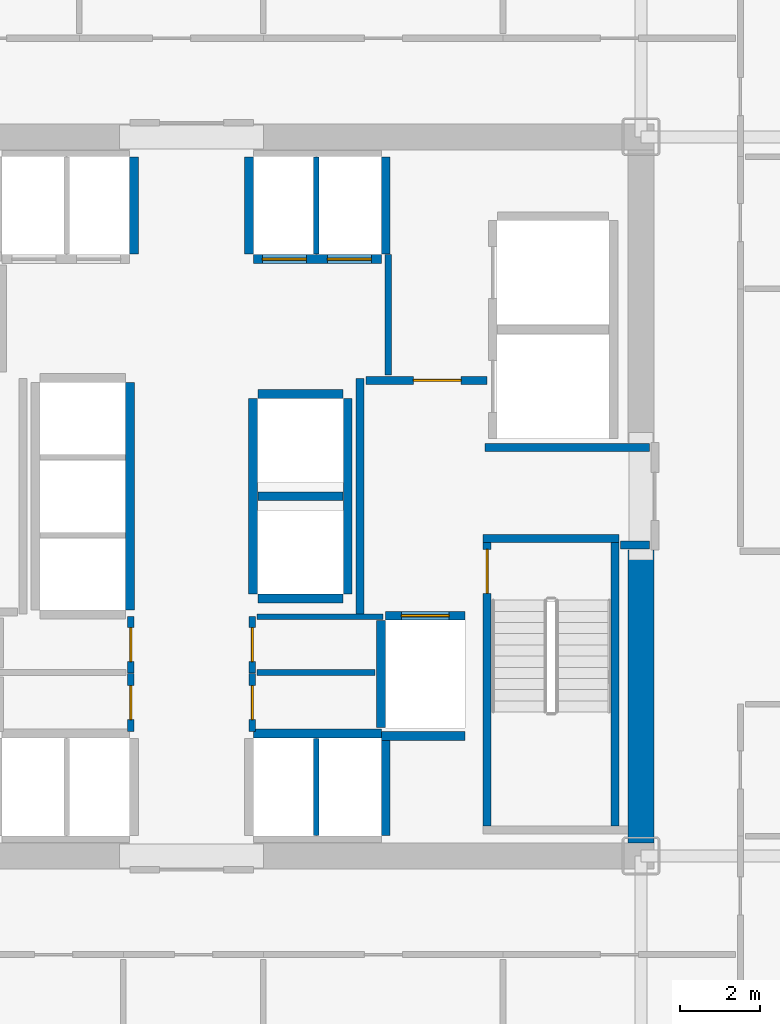
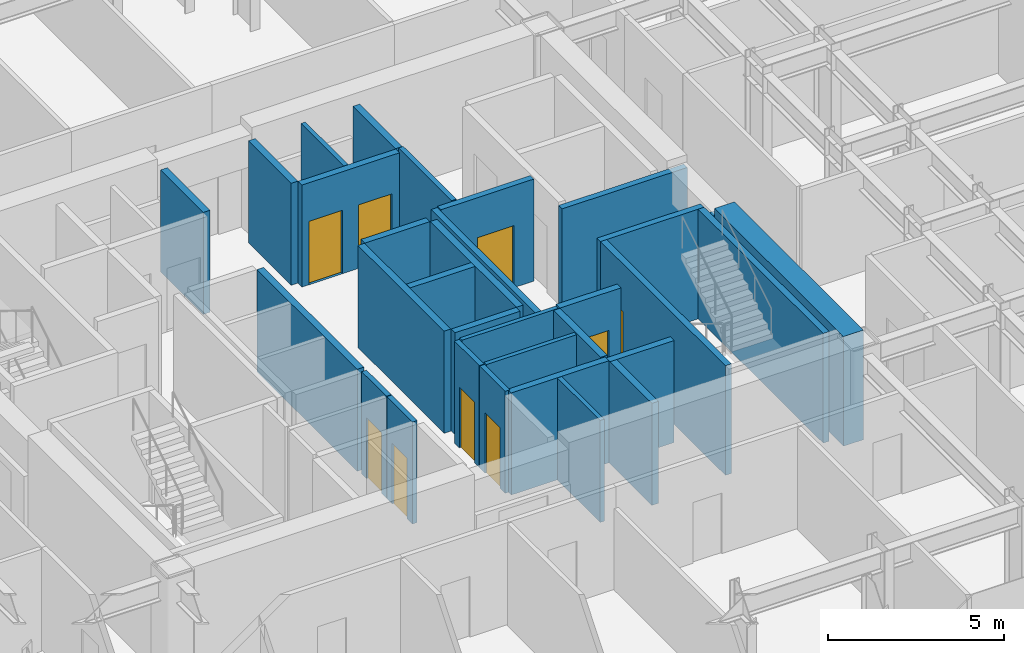
# One storey, part 22 of 26: 32 walls, 9 doors, 9 openings.
"""IFC4 building model written with IfcOpenShell, lengths in metres."""

from ifc_helpers import new_model, si_unit, direction, frame, frame_2d, origin, place, context, subcontext, project, spatial, rectangle, extrude, source, transform, mapped, material, layer, layer_set, type_object, element, fill, save


model = new_model("IFC4")

# Units and contexts
model_context = context("Model", 3, precision=1e-05, world=origin(), true_north=direction((0.0, 1.0)))
body_context = subcontext(model_context, "Body", "Model", "MODEL_VIEW")
ifc_project = project(units=[si_unit("LENGTHUNIT", "METRE"), si_unit("AREAUNIT", "SQUARE_METRE"), si_unit("VOLUMEUNIT", "CUBIC_METRE"), si_unit("PLANEANGLEUNIT", "RADIAN"), si_unit("MASSUNIT", "GRAM", prefix="KILO")], contexts=[model_context])

# Site, building, storey
site_placement = place(None, origin())
site = spatial("IfcSite", under=ifc_project, at=site_placement, CompositionType="ELEMENT")
building_placement = place(site_placement, origin())
building = spatial("IfcBuilding", under=site, at=building_placement, Name="Nefas-Gora Pilgrimage Tower", CompositionType="ELEMENT")
storey_placement = place(building_placement, frame((0.0, 0.0, 59.60009765625)))
storey = spatial("IfcBuildingStorey", under=building, at=storey_placement, Name="L13", CompositionType="ELEMENT", Elevation=59.60009765625)

# Walls
ifc_material_1 = material(Name="Concrete C60/75", Category="concrete")
ifc_layer_1 = layer(ifc_material_1, 0.64990234375)
ifc_layer_set_1 = layer_set([ifc_layer_1], Name="Concrete C60/75")
wall_type_1 = type_object("IfcWallType", Name="SW-CORE-650", PredefinedType="SHEAR", material=ifc_layer_set_1)
shared_shape_1 = source(origin(), body_context, "Body", "SweptSolid", [
    extrude(rectangle(XDim=7.324951171875, YDim=0.64990234375, at=frame_2d((3.66259765625, 0.0))), origin(), (0.0, 0.0, 1.0), 3.7998046875),
])
wall_1_placement = place(storey_placement, frame((11.25, -8.675048828125, 0.0), z_axis=(0.0, 0.0, 1.0), x_axis=(0.0, 1.0, 0.0)))
element("IfcWall", 1, at=wall_1_placement, inside=storey, type_object=wall_type_1, Name="L13 Core Shear Wall E-South", PredefinedType="SHEAR", context=body_context, shape_type="MappedRepresentation", body=[
    mapped(shared_shape_1, transform((0.0, 0.0, 0.0), x_axis=(1.0, 0.0, 0.0), y_axis=(0.0, 1.0, 0.0), z_axis=(0.0, 0.0, 1.0), scale=1.0)),
])
ifc_material_2 = material(Name="Concrete C45/55", Category="concrete")
ifc_layer_2 = layer(ifc_material_2, 0.199951171875)
ifc_layer_set_2 = layer_set([ifc_layer_2], Name="Concrete C45/55")
wall_type_2 = type_object("IfcWallType", Name="IW-STAIR-200", PredefinedType="SOLIDWALL", material=ifc_layer_set_2)
shared_shape_2 = source(origin(), body_context, "Body", "SweptSolid", [
    extrude(rectangle(XDim=3.39990234375, YDim=0.199951171875, at=frame_2d((1.699951171875, 0.0))), origin(), (0.0, 0.0, 1.0), 3.7998046875),
])
wall_2_placement = place(storey_placement, frame((7.300048828125, -1.050048828125, 0.0), z_axis=(0.0, 0.0, 1.0), x_axis=(1.0, 0.0, 0.0)))
element("IfcWall", 2, at=wall_2_placement, inside=storey, type_object=wall_type_2, Name="L13 Stairwell Shear Wall ST-02-near", PredefinedType="SOLIDWALL", context=body_context, shape_type="MappedRepresentation", body=[
    mapped(shared_shape_2, transform((0.0, 0.0, 0.0), x_axis=(1.0, 0.0, 0.0), y_axis=(0.0, 1.0, 0.0), z_axis=(0.0, 0.0, 1.0), scale=1.0)),
])

# Wall, opening, door
shared_shape_3 = source(origin(), body_context, "Body", "SweptSolid", [
    extrude(rectangle(XDim=7.10009765625, YDim=0.199951171875, at=frame_2d((3.550048828125, 0.0))), origin(), (0.0, 0.0, 1.0), 3.7998046875),
])
wall_3_placement = place(storey_placement, frame((7.39990234375, -1.14990234375, 0.0), z_axis=(0.0, 0.0, 1.0), x_axis=(0.0, -1.0, 0.0)))
wall_3 = element("IfcWall", 3, at=wall_3_placement, inside=storey, type_object=wall_type_2, Name="L13 Stairwell Shear Wall ST-02-left", PredefinedType="SOLIDWALL", context=body_context, shape_type="MappedRepresentation", body=[
    mapped(shared_shape_3, transform((0.0, 0.0, 0.0), x_axis=(1.0, 0.0, 0.0), y_axis=(0.0, 1.0, 0.0), z_axis=(0.0, 0.0, 1.0), scale=1.0)),
])
opening_1_placement = place(wall_3_placement, frame((0.179931640625, 0.0, 0.0)))
opening_1 = element("IfcOpeningElement", 4, at=opening_1_placement, cuts=wall_3, Name="Opening ID-ST1", PredefinedType="OPENING", context=body_context, shape_type="SweptSolid", body=[
    extrude(rectangle(XDim=1.10009765625, YDim=2.14990234375, at=frame_2d((0.550048828125, 1.074951171875))), frame((0.0, 0.10986328125, 0.0), z_axis=(0.0, -1.0, 0.0), x_axis=(1.0, 0.0, 0.0)), (0.0, 0.0, 1.0), 0.219970703125),
])
ifc_material_3 = material(Name="Painted galvanised steel fire stair door", Category="steel")
door_type_1 = type_object("IfcDoorType", Name="DR-INT-STAIR-1100", OperationType="NOTDEFINED", PredefinedType="DOOR", material=ifc_material_3)
shared_shape_4 = source(origin(), body_context, "Body", "SweptSolid", [
    extrude(rectangle(XDim=1.10009765625, YDim=2.14990234375, at=frame_2d((0.550048828125, 1.074951171875))), frame((0.0, 0.02490234375, 0.0), z_axis=(0.0, -1.0, 0.0), x_axis=(1.0, 0.0, 0.0)), (0.0, 0.0, 1.0), 0.050048828125),
])
door_1_placement = place(opening_1_placement, origin())
door_1 = element("IfcDoor", 5, at=door_1_placement, inside=storey, type_object=door_type_1, Name="L13 Protected Exit Stair Door ST-02", OperationType="SINGLE_SWING_RIGHT", OverallHeight=2.14990234375, OverallWidth=1.10009765625, PredefinedType="DOOR", context=body_context, shape_type="MappedRepresentation", body=[
    mapped(shared_shape_4, transform((0.0, 0.0, 0.0), x_axis=(1.0, 0.0, 0.0), y_axis=(0.0, 1.0, 0.0), z_axis=(0.0, 0.0, 1.0), scale=1.0)),
])
fill(opening_1, door_1)

# Wall
wall_4_placement = place(storey_placement, frame((10.60009765625, -1.14990234375, 0.0), z_axis=(0.0, 0.0, 1.0), x_axis=(0.0, -1.0, 0.0)))
element("IfcWall", 6, at=wall_4_placement, inside=storey, type_object=wall_type_2, Name="L13 Stairwell Shear Wall ST-02-right", PredefinedType="SOLIDWALL", context=body_context, shape_type="MappedRepresentation", body=[
    mapped(shared_shape_3, transform((0.0, 0.0, 0.0), x_axis=(1.0, 0.0, 0.0), y_axis=(0.0, 1.0, 0.0), z_axis=(0.0, 0.0, 1.0), scale=1.0)),
])

# Wall, opening, door
ifc_material_4 = material(Name="Concrete C40/50", Category="concrete")
ifc_layer_3 = layer(ifc_material_4, 0.219970703125)
ifc_layer_set_3 = layer_set([ifc_layer_3], Name="Concrete C40/50")
wall_type_3 = type_object("IfcWallType", Name="IW-SHAFT-220", PredefinedType="SOLIDWALL", material=ifc_layer_set_3)
shared_shape_5 = source(origin(), body_context, "Body", "SweptSolid", [
    extrude(rectangle(XDim=2.0, YDim=0.219970703125, at=frame_2d((1.0, 0.0))), origin(), (0.0, 0.0, 1.0), 3.534912109375),
])
wall_5_placement = place(storey_placement, frame((6.85009765625, -2.989990234375, 0.0), z_axis=(0.0, 0.0, 1.0), x_axis=(-1.0, 0.0, 0.0)))
wall_5 = element("IfcWall", 7, at=wall_5_placement, inside=storey, type_object=wall_type_3, Name="L13 Hoistway Wall FFL-02-N", PredefinedType="SOLIDWALL", context=body_context, shape_type="MappedRepresentation", body=[
    mapped(shared_shape_5, transform((0.0, 0.0, 0.0), x_axis=(1.0, 0.0, 0.0), y_axis=(0.0, 1.0, 0.0), z_axis=(0.0, 0.0, 1.0), scale=1.0)),
])
opening_2_placement = place(wall_5_placement, frame((0.39990234375, 0.0, 0.0)))
opening_2 = element("IfcOpeningElement", 8, at=opening_2_placement, cuts=wall_5, Name="Opening LD-FF", PredefinedType="OPENING", context=body_context, shape_type="SweptSolid", body=[
    extrude(rectangle(XDim=1.199951171875, YDim=2.199951171875, at=frame_2d((0.60009765625, 1.10009765625))), frame((0.0, 0.119873046875, 0.0), z_axis=(0.0, -1.0, 0.0), x_axis=(1.0, 0.0, 0.0)), (0.0, 0.0, 1.0), 0.239990234375),
])
ifc_material_5 = material(Name="Fire-service sliding lift landing door")
door_type_2 = type_object("IfcDoorType", Name="DR-LIFT-FSAE-1200", OperationType="SLIDING_TO_LEFT", PredefinedType="DOOR", material=ifc_material_5)
shared_shape_6 = source(origin(), body_context, "Body", "SweptSolid", [
    extrude(rectangle(XDim=1.199951171875, YDim=2.199951171875, at=frame_2d((0.60009765625, 1.10009765625))), frame((0.0, 0.02490234375, 0.0), z_axis=(0.0, -1.0, 0.0), x_axis=(1.0, 0.0, 0.0)), (0.0, 0.0, 1.0), 0.050048828125),
])
door_2_placement = place(opening_2_placement, origin())
door_2 = element("IfcDoor", 9, at=door_2_placement, inside=storey, type_object=door_type_2, Name="L13 Sliding Lift Landing Door FFL-02", OperationType="SLIDING_TO_LEFT", OverallHeight=2.199951171875, OverallWidth=1.199951171875, PredefinedType="DOOR", context=body_context, shape_type="MappedRepresentation", body=[
    mapped(shared_shape_6, transform((0.0, 0.0, 0.0), x_axis=(1.0, 0.0, 0.0), y_axis=(0.0, 1.0, 0.0), z_axis=(0.0, 0.0, 1.0), scale=1.0)),
])
fill(opening_2, door_2)

# Wall
shared_shape_7 = source(origin(), body_context, "Body", "SweptSolid", [
    extrude(rectangle(XDim=2.679931640625, YDim=0.219970703125, at=frame_2d((1.33984375, 0.0))), origin(), (0.0, 0.0, 1.0), 3.534912109375),
])
wall_6_placement = place(storey_placement, frame((4.739990234375, -3.110107421875, 0.0), z_axis=(0.0, 0.0, 1.0), x_axis=(0.0, -1.0, 0.0)))
element("IfcWall", 10, at=wall_6_placement, inside=storey, type_object=wall_type_3, Name="L13 Hoistway Wall FFL-02-W", PredefinedType="SOLIDWALL", context=body_context, shape_type="MappedRepresentation", body=[
    mapped(shared_shape_7, transform((0.0, 0.0, 0.0), x_axis=(1.0, 0.0, 0.0), y_axis=(0.0, 1.0, 0.0), z_axis=(0.0, 0.0, 1.0), scale=1.0)),
])

# Wall, openings, doors
shared_shape_8 = source(origin(), body_context, "Body", "SweptSolid", [
    extrude(rectangle(XDim=3.199951171875, YDim=0.219970703125, at=frame_2d((1.60009765625, 0.0))), origin(), (0.0, 0.0, 1.0), 3.534912109375),
])
wall_7_placement = place(storey_placement, frame((1.550048828125, 5.93994140625, 0.0), z_axis=(0.0, 0.0, 1.0), x_axis=(1.0, 0.0, 0.0)))
wall_7 = element("IfcWall", 11, at=wall_7_placement, inside=storey, type_object=wall_type_3, Name="L13 Hoistway Wall PL1-E-S", PredefinedType="SOLIDWALL", context=body_context, shape_type="MappedRepresentation", body=[
    mapped(shared_shape_8, transform((0.0, 0.0, 0.0), x_axis=(1.0, 0.0, 0.0), y_axis=(0.0, 1.0, 0.0), z_axis=(0.0, 0.0, 1.0), scale=1.0)),
])
opening_3_placement = place(wall_7_placement, frame((0.22509765625, 0.0, 0.0)))
opening_3 = element("IfcOpeningElement", 12, at=opening_3_placement, cuts=wall_7, Name="Opening LD-01", PredefinedType="OPENING", context=body_context, shape_type="SweptSolid", body=[
    extrude(rectangle(XDim=1.10009765625, YDim=2.199951171875, at=frame_2d((0.550048828125, 1.10009765625))), frame((0.0, 0.119873046875, 0.0), z_axis=(0.0, -1.0, 0.0), x_axis=(1.0, 0.0, 0.0)), (0.0, 0.0, 1.0), 0.239990234375),
])
opening_4_placement = place(wall_7_placement, frame((1.85009765625, 0.0, 0.0)))
opening_4 = element("IfcOpeningElement", 13, at=opening_4_placement, cuts=wall_7, Name="Opening LD-01", PredefinedType="OPENING", context=body_context, shape_type="SweptSolid", body=[
    extrude(rectangle(XDim=1.10009765625, YDim=2.199951171875, at=frame_2d((0.550048828125, 1.10009765625))), frame((0.0, 0.119873046875, 0.0), z_axis=(0.0, -1.0, 0.0), x_axis=(1.0, 0.0, 0.0)), (0.0, 0.0, 1.0), 0.239990234375),
])
ifc_material_6 = material(Name="Brushed stainless sliding lift landing door")
door_type_3 = type_object("IfcDoorType", Name="DR-LIFT-PASS-1100", OperationType="DOUBLE_DOOR_SLIDING", PredefinedType="DOOR", material=ifc_material_6)
shared_shape_9 = source(origin(), body_context, "Body", "SweptSolid", [
    extrude(rectangle(XDim=1.10009765625, YDim=2.199951171875, at=frame_2d((0.550048828125, 1.10009765625))), frame((0.0, 0.02490234375, 0.0), z_axis=(0.0, -1.0, 0.0), x_axis=(1.0, 0.0, 0.0)), (0.0, 0.0, 1.0), 0.050048828125),
])
door_3_placement = place(opening_3_placement, origin())
door_3 = element("IfcDoor", 14, at=door_3_placement, inside=storey, type_object=door_type_3, Name="L13 Sliding Lift Landing Door PL1-03", OperationType="DOUBLE_DOOR_SLIDING", OverallHeight=2.199951171875, OverallWidth=1.10009765625, PredefinedType="DOOR", context=body_context, shape_type="MappedRepresentation", body=[
    mapped(shared_shape_9, transform((0.0, 0.0, 0.0), x_axis=(1.0, 0.0, 0.0), y_axis=(0.0, 1.0, 0.0), z_axis=(0.0, 0.0, 1.0), scale=1.0)),
])
fill(opening_3, door_3)
door_4_placement = place(opening_4_placement, origin())
door_4 = element("IfcDoor", 15, at=door_4_placement, inside=storey, type_object=door_type_3, Name="L13 Sliding Lift Landing Door PL1-04", OperationType="DOUBLE_DOOR_SLIDING", OverallHeight=2.199951171875, OverallWidth=1.10009765625, PredefinedType="DOOR", context=body_context, shape_type="MappedRepresentation", body=[
    mapped(shared_shape_9, transform((0.0, 0.0, 0.0), x_axis=(1.0, 0.0, 0.0), y_axis=(0.0, 1.0, 0.0), z_axis=(0.0, 0.0, 1.0), scale=1.0)),
])
fill(opening_4, door_4)

# Walls
wall_8_placement = place(storey_placement, frame((4.75, -5.93994140625, 0.0), z_axis=(0.0, 0.0, 1.0), x_axis=(-1.0, 0.0, 0.0)))
element("IfcWall", 16, at=wall_8_placement, inside=storey, type_object=wall_type_3, Name="L13 Hoistway Wall PL2-E-N", PredefinedType="SOLIDWALL", context=body_context, shape_type="MappedRepresentation", body=[
    mapped(shared_shape_8, transform((0.0, 0.0, 0.0), x_axis=(1.0, 0.0, 0.0), y_axis=(0.0, 1.0, 0.0), z_axis=(0.0, 0.0, 1.0), scale=1.0)),
])
shared_shape_10 = source(origin(), body_context, "Body", "SweptSolid", [
    extrude(rectangle(XDim=2.429931640625, YDim=0.219970703125, at=frame_2d((1.21484375, 0.0))), origin(), (0.0, 0.0, 1.0), 3.534912109375),
])
for number, where, z_axis, x_axis, name in (
    (17, (-1.43994140625, 6.06005859375, 0.0), (0.0, 0.0, 1.0), (0.0, 1.0, 0.0), "L13 Hoistway Wall PL1-W-E"),
    (18, (1.43994140625, 8.489990234375, 0.0), (0.0, 0.0, 1.0), (0.0, -1.0, 0.0), "L13 Hoistway Wall PL1-E-W"),
    (19, (4.860107421875, 6.06005859375, 0.0), (0.0, 0.0, 1.0), (0.0, 1.0, 0.0), "L13 Hoistway Wall PL1-E-E"),
    (20, (4.860107421875, -8.489990234375, 0.0), (0.0, 0.0, 1.0), (0.0, 1.0, 0.0), "L13 Hoistway Wall PL2-E-E"),
):
    element("IfcWall", number, at=place(storey_placement, frame(where, z_axis=z_axis, x_axis=x_axis)), inside=storey, type_object=wall_type_3, Name=name, PredefinedType="SOLIDWALL", context=body_context, shape_type="MappedRepresentation", body=[
        mapped(shared_shape_10, transform((0.0, 0.0, 0.0), x_axis=(1.0, 0.0, 0.0), y_axis=(0.0, 1.0, 0.0), z_axis=(0.0, 0.0, 1.0), scale=1.0)),
    ])
ifc_material_7 = material(Name="Gypsum twin-stud partition")
ifc_layer_4 = layer(ifc_material_7, 0.139892578125)
ifc_layer_set_4 = layer_set([ifc_layer_4], Name="Gypsum twin-stud partition")
wall_type_4 = type_object("IfcWallType", Name="IW-UNIT-140", PredefinedType="PARTITIONING", material=ifc_layer_set_4)
shared_shape_11 = source(origin(), body_context, "Body", "SweptSolid", [
    extrude(rectangle(XDim=2.429931640625, YDim=0.139892578125, at=frame_2d((1.21484375, 0.0))), origin(), (0.0, 0.0, 1.0), 3.534912109375),
])
for number, where, z_axis, x_axis, name in (
    (21, (3.125, 6.06005859375, 0.0), (0.0, 0.0, 1.0), (0.0, 1.0, 0.0), "L13 Hoistway Wall PL1-E-DIV"),
    (22, (3.125, -8.489990234375, 0.0), (0.0, 0.0, 1.0), (0.0, 1.0, 0.0), "L13 Hoistway Wall PL2-E-DIV"),
):
    element("IfcWall", number, at=place(storey_placement, frame(where, z_axis=z_axis, x_axis=x_axis)), inside=storey, type_object=wall_type_4, Name=name, PredefinedType="PARTITIONING", context=body_context, shape_type="MappedRepresentation", body=[
        mapped(shared_shape_11, transform((0.0, 0.0, 0.0), x_axis=(1.0, 0.0, 0.0), y_axis=(0.0, 1.0, 0.0), z_axis=(0.0, 0.0, 1.0), scale=1.0)),
    ])
shared_shape_12 = source(origin(), body_context, "Body", "SweptSolid", [
    extrude(rectangle(XDim=5.7001953125, YDim=0.219970703125, at=frame_2d((2.85009765625, 0.0))), origin(), (0.0, 0.0, 1.0), 3.534912109375),
])
wall_9_placement = place(storey_placement, frame((-1.5400390625, -2.85009765625, 0.0), z_axis=(0.0, 0.0, 1.0), x_axis=(0.0, 1.0, 0.0)))
element("IfcWall", 23, at=wall_9_placement, inside=storey, type_object=wall_type_3, Name="L13 Hoistway Wall PL3-01-03-E", PredefinedType="SOLIDWALL", context=body_context, shape_type="MappedRepresentation", body=[
    mapped(shared_shape_12, transform((0.0, 0.0, 0.0), x_axis=(1.0, 0.0, 0.0), y_axis=(0.0, 1.0, 0.0), z_axis=(0.0, 0.0, 1.0), scale=1.0)),
])
shared_shape_13 = source(origin(), body_context, "Body", "SweptSolid", [
    extrude(rectangle(XDim=2.130126953125, YDim=0.219970703125, at=frame_2d((1.06494140625, 0.0))), origin(), (0.0, 0.0, 1.0), 3.534912109375),
])
for number, where, z_axis, x_axis, name in (
    (24, (1.659912109375, -2.56005859375, 0.0), (0.0, 0.0, 1.0), (1.0, 0.0, 0.0), "L13 Hoistway Wall OBS-01-S"),
    (25, (1.659912109375, 0.0, 0.0), (0.0, 0.0, 1.0), (1.0, 0.0, 0.0), "L13 Hoistway Wall OBS-01-02-DIV"),
    (26, (3.7900390625, 2.56005859375, 0.0), (0.0, 0.0, 1.0), (-1.0, 0.0, 0.0), "L13 Hoistway Wall OBS-02-N"),
):
    element("IfcWall", number, at=place(storey_placement, frame(where, z_axis=z_axis, x_axis=x_axis)), inside=storey, type_object=wall_type_3, Name=name, PredefinedType="SOLIDWALL", context=body_context, shape_type="MappedRepresentation", body=[
        mapped(shared_shape_13, transform((0.0, 0.0, 0.0), x_axis=(1.0, 0.0, 0.0), y_axis=(0.0, 1.0, 0.0), z_axis=(0.0, 0.0, 1.0), scale=1.0)),
    ])
shared_shape_14 = source(origin(), body_context, "Body", "SweptSolid", [
    extrude(rectangle(XDim=4.89990234375, YDim=0.219970703125, at=frame_2d((2.449951171875, 0.0))), origin(), (0.0, 0.0, 1.0), 3.534912109375),
])
for number, where, z_axis, x_axis, name in (
    (27, (1.5400390625, 2.449951171875, 0.0), (0.0, 0.0, 1.0), (0.0, -1.0, 0.0), "L13 Hoistway Wall OBS-01-02-W"),
    (28, (3.909912109375, -2.449951171875, 0.0), (0.0, 0.0, 1.0), (0.0, 1.0, 0.0), "L13 Hoistway Wall OBS-01-02-E"),
):
    element("IfcWall", number, at=place(storey_placement, frame(where, z_axis=z_axis, x_axis=x_axis)), inside=storey, type_object=wall_type_3, Name=name, PredefinedType="SOLIDWALL", context=body_context, shape_type="MappedRepresentation", body=[
        mapped(shared_shape_14, transform((0.0, 0.0, 0.0), x_axis=(1.0, 0.0, 0.0), y_axis=(0.0, 1.0, 0.0), z_axis=(0.0, 0.0, 1.0), scale=1.0)),
    ])
shared_shape_15 = source(origin(), body_context, "Body", "SweptSolid", [
    extrude(rectangle(XDim=2.09521484375, YDim=0.219970703125, at=frame_2d((1.047607421875, 0.0))), origin(), (0.0, 0.0, 1.0), 3.534912109375),
])
wall_10_placement = place(storey_placement, frame((4.7548828125, -6.0, 0.0), z_axis=(0.0, 0.0, 1.0), x_axis=(1.0, 0.0, 0.0)))
element("IfcWall", 29, at=wall_10_placement, inside=storey, type_object=wall_type_3, Name="L13 Riser Shaft Wall 2", PredefinedType="SOLIDWALL", context=body_context, shape_type="MappedRepresentation", body=[
    mapped(shared_shape_15, transform((0.0, 0.0, 0.0), x_axis=(1.0, 0.0, 0.0), y_axis=(0.0, 1.0, 0.0), z_axis=(0.0, 0.0, 1.0), scale=1.0)),
])
ifc_material_8 = material(Name="Gypsum fire-rated shaftwall")
ifc_layer_5 = layer(ifc_material_8, 0.199951171875)
ifc_layer_set_5 = layer_set([ifc_layer_5], Name="Gypsum fire-rated shaftwall")
wall_type_5 = type_object("IfcWallType", Name="IW-FFLOB-200", PredefinedType="PARTITIONING", material=ifc_layer_set_5)
shared_shape_16 = source(origin(), body_context, "Body", "SweptSolid", [
    extrude(rectangle(XDim=5.89990234375, YDim=0.199951171875, at=frame_2d((2.949951171875, 0.0))), origin(), (0.0, 0.0, 1.0), 3.534912109375),
])
wall_11_placement = place(storey_placement, frame((4.219970703125, -2.949951171875, 0.0), z_axis=(0.0, 0.0, 1.0), x_axis=(0.0, 1.0, 0.0)))
element("IfcWall", 30, at=wall_11_placement, inside=storey, type_object=wall_type_5, Name="L13 FF Lobby East Inner Wall Wall 9", PredefinedType="PARTITIONING", context=body_context, shape_type="MappedRepresentation", body=[
    mapped(shared_shape_16, transform((0.0, 0.0, 0.0), x_axis=(1.0, 0.0, 0.0), y_axis=(0.0, 1.0, 0.0), z_axis=(0.0, 0.0, 1.0), scale=1.0)),
])
shared_shape_17 = source(origin(), body_context, "Body", "SweptSolid", [
    extrude(rectangle(XDim=0.719970703125, YDim=0.199951171875, at=frame_2d((0.35986328125, 0.0))), origin(), (0.0, 0.0, 1.0), 3.534912109375),
])
wall_12_placement = place(storey_placement, frame((10.739990234375, -1.219970703125, 0.0), z_axis=(0.0, 0.0, 1.0), x_axis=(1.0, 0.0, 0.0)))
element("IfcWall", 31, at=wall_12_placement, inside=storey, type_object=wall_type_5, Name="L13 FF Lobby East Throat S Wall 12", PredefinedType="PARTITIONING", context=body_context, shape_type="MappedRepresentation", body=[
    mapped(shared_shape_17, transform((0.0, 0.0, 0.0), x_axis=(1.0, 0.0, 0.0), y_axis=(0.0, 1.0, 0.0), z_axis=(0.0, 0.0, 1.0), scale=1.0)),
])

# Wall, opening, door
shared_shape_18 = source(origin(), body_context, "Body", "SweptSolid", [
    extrude(rectangle(XDim=3.039794921875, YDim=0.199951171875, at=frame_2d((1.52001953125, 0.0))), origin(), (0.0, 0.0, 1.0), 3.534912109375),
])
wall_13_placement = place(storey_placement, frame((4.360107421875, 2.89990234375, 0.0), z_axis=(0.0, 0.0, 1.0), x_axis=(1.0, 0.0, 0.0)))
wall_13 = element("IfcWall", 32, at=wall_13_placement, inside=storey, type_object=wall_type_5, Name="L13 FF Lobby East North Wall Wall 10", PredefinedType="PARTITIONING", context=body_context, shape_type="MappedRepresentation", body=[
    mapped(shared_shape_18, transform((0.0, 0.0, 0.0), x_axis=(1.0, 0.0, 0.0), y_axis=(0.0, 1.0, 0.0), z_axis=(0.0, 0.0, 1.0), scale=1.0)),
])
opening_5_placement = place(wall_13_placement, frame((1.18994140625, 0.0, 0.0)))
opening_5 = element("IfcOpeningElement", 33, at=opening_5_placement, cuts=wall_13, Name="Opening ID-PL1", PredefinedType="OPENING", context=body_context, shape_type="SweptSolid", body=[
    extrude(rectangle(XDim=1.199951171875, YDim=2.14990234375, at=frame_2d((0.60009765625, 1.074951171875))), frame((0.0, 0.10986328125, 0.0), z_axis=(0.0, -1.0, 0.0), x_axis=(1.0, 0.0, 0.0)), (0.0, 0.0, 1.0), 0.219970703125),
])
ifc_material_9 = material(Name="Heavy-duty steel plant room fire door", Category="steel")
door_type_4 = type_object("IfcDoorType", Name="DR-INT-PLANT-1200", OperationType="NOTDEFINED", PredefinedType="DOOR", material=ifc_material_9)
shared_shape_19 = source(origin(), body_context, "Body", "SweptSolid", [
    extrude(rectangle(XDim=1.199951171875, YDim=2.14990234375, at=frame_2d((0.60009765625, 1.074951171875))), frame((0.0, 0.02490234375, 0.0), z_axis=(0.0, -1.0, 0.0), x_axis=(1.0, 0.0, 0.0)), (0.0, 0.0, 1.0), 0.050048828125),
])
door_5_placement = place(opening_5_placement, origin())
door_5 = element("IfcDoor", 34, at=door_5_placement, inside=storey, type_object=door_type_4, Name="L13 Service Lift Lobby Door Door 3", OperationType="SINGLE_SWING_LEFT", OverallHeight=2.14990234375, OverallWidth=1.199951171875, PredefinedType="DOOR", context=body_context, shape_type="MappedRepresentation", body=[
    mapped(shared_shape_19, transform((0.0, 0.0, 0.0), x_axis=(1.0, 0.0, 0.0), y_axis=(0.0, 1.0, 0.0), z_axis=(0.0, 0.0, 1.0), scale=1.0)),
])
fill(opening_5, door_5)

# Walls
shared_shape_20 = source(origin(), body_context, "Body", "SweptSolid", [
    extrude(rectangle(XDim=4.10986328125, YDim=0.199951171875, at=frame_2d((2.054931640625, 0.0))), origin(), (0.0, 0.0, 1.0), 3.534912109375),
])
wall_14_placement = place(storey_placement, frame((7.35009765625, 1.219970703125, 0.0), z_axis=(0.0, 0.0, 1.0), x_axis=(1.0, 0.0, 0.0)))
element("IfcWall", 35, at=wall_14_placement, inside=storey, type_object=wall_type_5, Name="L13 FF Lobby East Throat N Wall 11", PredefinedType="PARTITIONING", context=body_context, shape_type="MappedRepresentation", body=[
    mapped(shared_shape_20, transform((0.0, 0.0, 0.0), x_axis=(1.0, 0.0, 0.0), y_axis=(0.0, 1.0, 0.0), z_axis=(0.0, 0.0, 1.0), scale=1.0)),
])
ifc_material_10 = material(Name="Gypsum acoustic stud partition")
ifc_layer_6 = layer(ifc_material_10, 0.159912109375)
ifc_layer_set_6 = layer_set([ifc_layer_6], Name="Gypsum acoustic stud partition")
wall_type_6 = type_object("IfcWallType", Name="IW-CORR-160", PredefinedType="PARTITIONING", material=ifc_layer_set_6)
shared_shape_21 = source(origin(), body_context, "Body", "SweptSolid", [
    extrude(rectangle(XDim=3.014892578125, YDim=0.159912109375, at=frame_2d((1.50732421875, 0.0))), origin(), (0.0, 0.0, 1.0), 3.534912109375),
])
wall_15_placement = place(storey_placement, frame((4.919921875, 3.0400390625, 0.0), z_axis=(0.0, 0.0, 1.0), x_axis=(0.0, 1.0, 0.0)))
element("IfcWall", 36, at=wall_15_placement, inside=storey, type_object=wall_type_6, Name="L13 Service Lift Lobby West Wall Wall 15", PredefinedType="PARTITIONING", context=body_context, shape_type="MappedRepresentation", body=[
    mapped(shared_shape_21, transform((0.0, 0.0, 0.0), x_axis=(1.0, 0.0, 0.0), y_axis=(0.0, 1.0, 0.0), z_axis=(0.0, 0.0, 1.0), scale=1.0)),
])
shared_shape_22 = source(origin(), body_context, "Body", "SweptSolid", [
    extrude(rectangle(XDim=2.9501953125, YDim=0.139892578125, at=frame_2d((1.47509765625, 0.0))), origin(), (0.0, 0.0, 1.0), 3.534912109375),
])
wall_16_placement = place(storey_placement, frame((1.639892578125, -4.409912109375, 0.0), z_axis=(0.0, 0.0, 1.0), x_axis=(1.0, 0.0, 0.0)))
element("IfcWall", 37, at=wall_16_placement, inside=storey, type_object=wall_type_4, Name="L13 Clean Blanket and Robe Store Partition Wall 23", PredefinedType="PARTITIONING", context=body_context, shape_type="MappedRepresentation", body=[
    mapped(shared_shape_22, transform((0.0, 0.0, 0.0), x_axis=(1.0, 0.0, 0.0), y_axis=(0.0, 1.0, 0.0), z_axis=(0.0, 0.0, 1.0), scale=1.0)),
])

# Wall, opening, door
shared_shape_23 = source(origin(), body_context, "Body", "SweptSolid", [
    extrude(rectangle(XDim=1.409912109375, YDim=0.159912109375, at=frame_2d((0.705078125, 0.0))), origin(), (0.0, 0.0, 1.0), 3.534912109375),
])
wall_17_placement = place(storey_placement, frame((-1.52001953125, -4.419921875, 0.0), z_axis=(0.0, 0.0, 1.0), x_axis=(0.0, 1.0, 0.0)))
wall_17 = element("IfcWall", 38, at=wall_17_placement, inside=storey, type_object=wall_type_6, Name="L13 Housekeeping and Linen Store Wall 16", PredefinedType="PARTITIONING", context=body_context, shape_type="MappedRepresentation", body=[
    mapped(shared_shape_23, transform((0.0, 0.0, 0.0), x_axis=(1.0, 0.0, 0.0), y_axis=(0.0, 1.0, 0.0), z_axis=(0.0, 0.0, 1.0), scale=1.0)),
])
opening_6_placement = place(wall_17_placement, frame((0.280029296875, 0.0, 0.0)))
opening_6 = element("IfcOpeningElement", 39, at=opening_6_placement, cuts=wall_17, Name="Opening ID-BT1", PredefinedType="OPENING", context=body_context, shape_type="SweptSolid", body=[
    extrude(rectangle(XDim=0.85009765625, YDim=2.10009765625, at=frame_2d((0.425048828125, 1.050048828125))), frame((0.0, 0.08984375, 0.0), z_axis=(0.0, -1.0, 0.0), x_axis=(1.0, 0.0, 0.0)), (0.0, 0.0, 1.0), 0.179931640625),
])
ifc_material_11 = material(Name="Moisture-resistant fire-rated timber door", Category="wood")
door_type_5 = type_object("IfcDoorType", Name="DR-INT-BATH-850", OperationType="NOTDEFINED", PredefinedType="DOOR", material=ifc_material_11)
shared_shape_24 = source(origin(), body_context, "Body", "SweptSolid", [
    extrude(rectangle(XDim=0.85009765625, YDim=2.10009765625, at=frame_2d((0.425048828125, 1.050048828125))), frame((0.0, 0.02490234375, 0.0), z_axis=(0.0, -1.0, 0.0), x_axis=(1.0, 0.0, 0.0)), (0.0, 0.0, 1.0), 0.050048828125),
])
door_6_placement = place(opening_6_placement, origin())
door_6 = element("IfcDoor", 40, at=door_6_placement, inside=storey, type_object=door_type_5, Name="L13 Housekeeping and Linen Store Door 6", OperationType="SINGLE_SWING_RIGHT", OverallHeight=2.10009765625, OverallWidth=0.85009765625, PredefinedType="DOOR", context=body_context, shape_type="MappedRepresentation", body=[
    mapped(shared_shape_24, transform((0.0, 0.0, 0.0), x_axis=(1.0, 0.0, 0.0), y_axis=(0.0, 1.0, 0.0), z_axis=(0.0, 0.0, 1.0), scale=1.0)),
])
fill(opening_6, door_6)

wall_18_placement = place(storey_placement, frame((1.52001953125, -4.419921875, 0.0), z_axis=(0.0, 0.0, 1.0), x_axis=(0.0, 1.0, 0.0)))
wall_18 = element("IfcWall", 41, at=wall_18_placement, inside=storey, type_object=wall_type_6, Name="L13 Clean Blanket and Robe Store Wall 21", PredefinedType="PARTITIONING", context=body_context, shape_type="MappedRepresentation", body=[
    mapped(shared_shape_23, transform((0.0, 0.0, 0.0), x_axis=(1.0, 0.0, 0.0), y_axis=(0.0, 1.0, 0.0), z_axis=(0.0, 0.0, 1.0), scale=1.0)),
])
opening_7_placement = place(wall_18_placement, frame((0.280029296875, 0.0, 0.0)))
opening_7 = element("IfcOpeningElement", 42, at=opening_7_placement, cuts=wall_18, Name="Opening ID-BT1", PredefinedType="OPENING", context=body_context, shape_type="SweptSolid", body=[
    extrude(rectangle(XDim=0.85009765625, YDim=2.10009765625, at=frame_2d((0.425048828125, 1.050048828125))), frame((0.0, 0.08984375, 0.0), z_axis=(0.0, -1.0, 0.0), x_axis=(1.0, 0.0, 0.0)), (0.0, 0.0, 1.0), 0.179931640625),
])
door_7_placement = place(opening_7_placement, origin())
door_7 = element("IfcDoor", 43, at=door_7_placement, inside=storey, type_object=door_type_5, Name="L13 Clean Blanket and Robe Store Door 8", OperationType="SINGLE_SWING_RIGHT", OverallHeight=2.10009765625, OverallWidth=0.85009765625, PredefinedType="DOOR", context=body_context, shape_type="MappedRepresentation", body=[
    mapped(shared_shape_24, transform((0.0, 0.0, 0.0), x_axis=(1.0, 0.0, 0.0), y_axis=(0.0, 1.0, 0.0), z_axis=(0.0, 0.0, 1.0), scale=1.0)),
])
fill(opening_7, door_7)

# Wall
shared_shape_25 = source(origin(), body_context, "Body", "SweptSolid", [
    extrude(rectangle(XDim=3.150146484375, YDim=0.139892578125, at=frame_2d((1.5751953125, 0.0))), origin(), (0.0, 0.0, 1.0), 3.534912109375),
])
wall_19_placement = place(storey_placement, frame((1.639892578125, -3.02001953125, 0.0), z_axis=(0.0, 0.0, 1.0), x_axis=(1.0, 0.0, 0.0)))
element("IfcWall", 44, at=wall_19_placement, inside=storey, type_object=wall_type_4, Name="L13 Clean Blanket and Robe Store Partition Wall 22", PredefinedType="PARTITIONING", context=body_context, shape_type="MappedRepresentation", body=[
    mapped(shared_shape_25, transform((0.0, 0.0, 0.0), x_axis=(1.0, 0.0, 0.0), y_axis=(0.0, 1.0, 0.0), z_axis=(0.0, 0.0, 1.0), scale=1.0)),
])

# Wall, opening, door
shared_shape_26 = source(origin(), body_context, "Body", "SweptSolid", [
    extrude(rectangle(XDim=1.449951171875, YDim=0.159912109375, at=frame_2d((0.72509765625, 0.0))), origin(), (0.0, 0.0, 1.0), 3.534912109375),
])
wall_20_placement = place(storey_placement, frame((-1.52001953125, -5.889892578125, 0.0), z_axis=(0.0, 0.0, 1.0), x_axis=(0.0, 1.0, 0.0)))
wall_20 = element("IfcWall", 45, at=wall_20_placement, inside=storey, type_object=wall_type_6, Name="L13 Guest Self-Service Laundry Room Wall 19", PredefinedType="PARTITIONING", context=body_context, shape_type="MappedRepresentation", body=[
    mapped(shared_shape_26, transform((0.0, 0.0, 0.0), x_axis=(1.0, 0.0, 0.0), y_axis=(0.0, 1.0, 0.0), z_axis=(0.0, 0.0, 1.0), scale=1.0)),
])
opening_8_placement = place(wall_20_placement, frame((0.300048828125, 0.0, 0.0)))
opening_8 = element("IfcOpeningElement", 46, at=opening_8_placement, cuts=wall_20, Name="Opening ID-BT1", PredefinedType="OPENING", context=body_context, shape_type="SweptSolid", body=[
    extrude(rectangle(XDim=0.85009765625, YDim=2.10009765625, at=frame_2d((0.425048828125, 1.050048828125))), frame((0.0, 0.08984375, 0.0), z_axis=(0.0, -1.0, 0.0), x_axis=(1.0, 0.0, 0.0)), (0.0, 0.0, 1.0), 0.179931640625),
])
door_8_placement = place(opening_8_placement, origin())
door_8 = element("IfcDoor", 47, at=door_8_placement, inside=storey, type_object=door_type_5, Name="L13 Guest Self-Service Laundry Room Door 7", OperationType="SINGLE_SWING_LEFT", OverallHeight=2.10009765625, OverallWidth=0.85009765625, PredefinedType="DOOR", context=body_context, shape_type="MappedRepresentation", body=[
    mapped(shared_shape_24, transform((0.0, 0.0, 0.0), x_axis=(1.0, 0.0, 0.0), y_axis=(0.0, 1.0, 0.0), z_axis=(0.0, 0.0, 1.0), scale=1.0)),
])
fill(opening_8, door_8)

wall_21_placement = place(storey_placement, frame((1.52001953125, -5.889892578125, 0.0), z_axis=(0.0, 0.0, 1.0), x_axis=(0.0, 1.0, 0.0)))
wall_21 = element("IfcWall", 48, at=wall_21_placement, inside=storey, type_object=wall_type_6, Name="L13 Core Amenity Supply Store Wall 24", PredefinedType="PARTITIONING", context=body_context, shape_type="MappedRepresentation", body=[
    mapped(shared_shape_26, transform((0.0, 0.0, 0.0), x_axis=(1.0, 0.0, 0.0), y_axis=(0.0, 1.0, 0.0), z_axis=(0.0, 0.0, 1.0), scale=1.0)),
])
opening_9_placement = place(wall_21_placement, frame((0.300048828125, 0.0, 0.0)))
opening_9 = element("IfcOpeningElement", 49, at=opening_9_placement, cuts=wall_21, Name="Opening ID-BT1", PredefinedType="OPENING", context=body_context, shape_type="SweptSolid", body=[
    extrude(rectangle(XDim=0.85009765625, YDim=2.10009765625, at=frame_2d((0.425048828125, 1.050048828125))), frame((0.0, 0.08984375, 0.0), z_axis=(0.0, -1.0, 0.0), x_axis=(1.0, 0.0, 0.0)), (0.0, 0.0, 1.0), 0.179931640625),
])
door_9_placement = place(opening_9_placement, origin())
door_9 = element("IfcDoor", 50, at=door_9_placement, inside=storey, type_object=door_type_5, Name="L13 Core Amenity Supply Store Door 9", OperationType="SINGLE_SWING_LEFT", OverallHeight=2.10009765625, OverallWidth=0.85009765625, PredefinedType="DOOR", context=body_context, shape_type="MappedRepresentation", body=[
    mapped(shared_shape_24, transform((0.0, 0.0, 0.0), x_axis=(1.0, 0.0, 0.0), y_axis=(0.0, 1.0, 0.0), z_axis=(0.0, 0.0, 1.0), scale=1.0)),
])
fill(opening_9, door_9)

save(model, "model.ifc")
